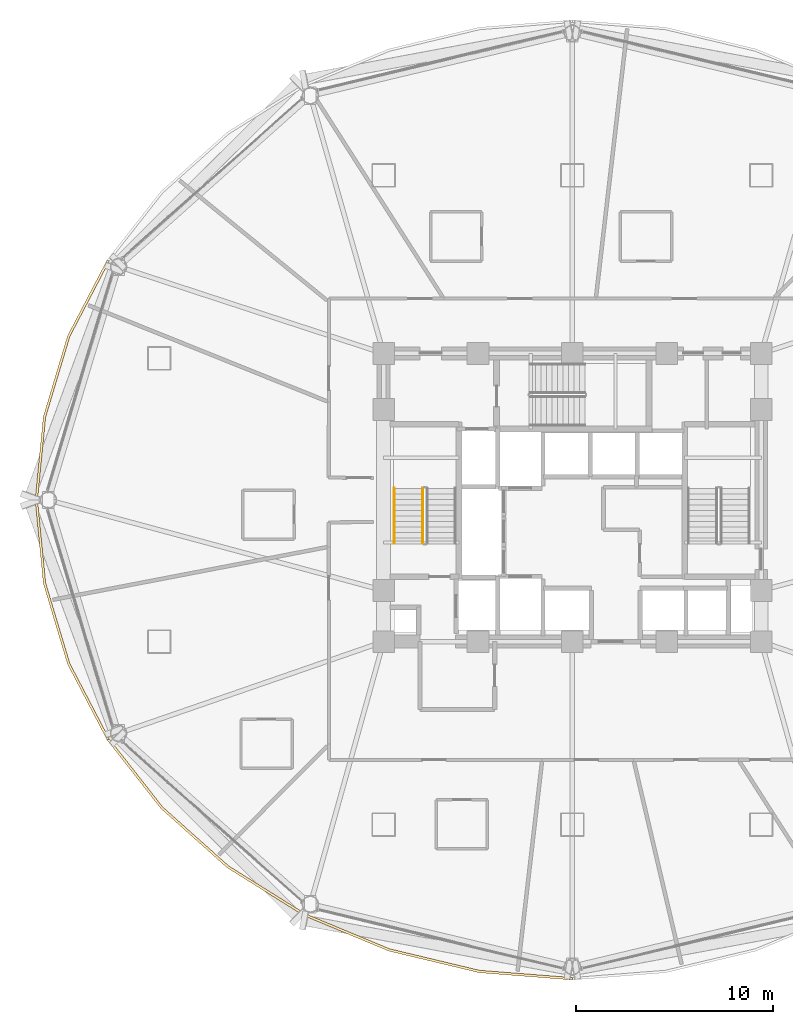
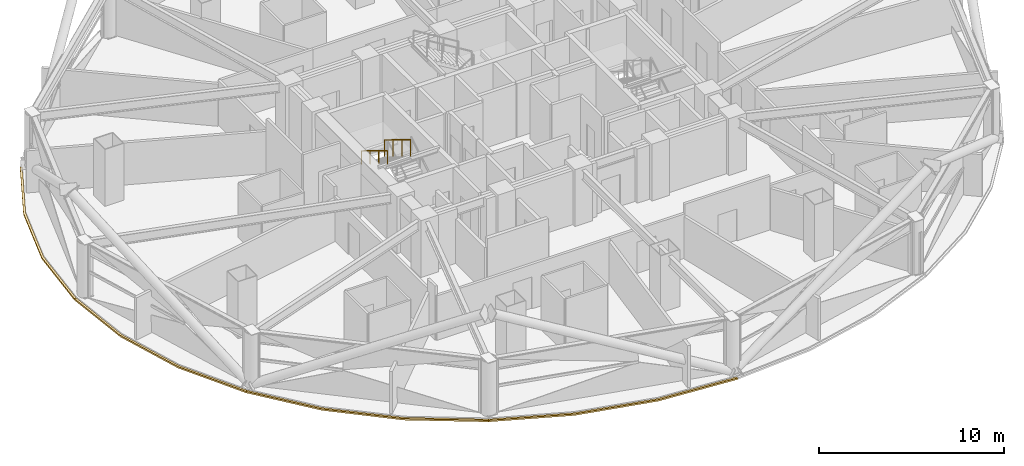
# One storey, part 27 of 30: 4 coverings, 2 railings.
"""IFC4 building model written with IfcOpenShell, lengths in metres."""

import ifcopenshell
import ifcopenshell.guid

model = None  # the IFC model being written
_history = None  # IfcOwnerHistory: only IFC2X3 demands one
_inside = {}  # id of a spatial element -> (the spatial element, [elements in it])
_under = {}  # id of a project, library or spatial element -> (it, [spatial elements below it])
_declared = {}  # id of a project -> (the project, [libraries it declares])
_typed = {}  # id of a type object -> (the type object, [elements of that type])
_made_of = {}  # id of a material, layer set ... -> (it, [elements and type objects made of it])


def new_model(schema):
    """Start an empty IFC model of exactly this schema.

    Asked for "IFC4X3", IfcOpenShell would pick the latest addendum, in which some entities
    have other attributes; the version numbers below select the first issue.
    IFC2X3 requires an IfcOwnerHistory on every rooted entity: one is made here for all.
    """
    global model, _history
    if schema == "IFC4X3":
        model = ifcopenshell.file(schema_version=(4, 3, 0, 0))
    else:
        model = ifcopenshell.file(schema=schema)
    _inside.clear()
    _under.clear()
    _declared.clear()
    _typed.clear()
    _made_of.clear()
    _history = None
    if model.schema == "IFC2X3":
        org = make("IfcOrganization", Name="unknown")
        user = make(
            "IfcPersonAndOrganization",
            ThePerson=make("IfcPerson", FamilyName="unknown"),
            TheOrganization=org,
        )
        app = make(
            "IfcApplication",
            ApplicationDeveloper=org,
            Version="unknown",
            ApplicationFullName="unknown",
            ApplicationIdentifier="unknown",
        )
        _history = make(
            "IfcOwnerHistory",
            OwningUser=user,
            OwningApplication=app,
            ChangeAction="ADDED",
            CreationDate=0,
        )
    return model


def make(cls, **values):
    """One entity of the class cls with the attributes given. An attribute that is None is left unset."""
    return model.create_entity(
        cls, **{name: value for name, value in values.items() if value is not None}
    )


def rooted(cls, **values):
    """An entity with a GlobalId (a new one), such as an element, a storey or a relation."""
    return make(cls, GlobalId=ifcopenshell.guid.new(), OwnerHistory=_history, **values)


def si_unit(unit_type, name, prefix=None):
    """IfcSIUnit, for example si_unit("LENGTHUNIT", "METRE", prefix="MILLI")."""
    return make("IfcSIUnit", UnitType=unit_type, Prefix=prefix, Name=name)


def assignment(units):
    """IfcUnitAssignment: the units of a project."""
    return None if units is None else make("IfcUnitAssignment", Units=units)


def point(xyz):
    """IfcCartesianPoint."""
    return None if xyz is None else make("IfcCartesianPoint", Coordinates=xyz)


def direction(xyz):
    """IfcDirection."""
    return None if xyz is None else make("IfcDirection", DirectionRatios=xyz)


def frame(location, z_axis=None, x_axis=None):
    """IfcAxis2Placement3D, a coordinate frame: its origin and axes. An axis left out is left unset."""
    return make(
        "IfcAxis2Placement3D",
        Location=point(location),
        Axis=direction(z_axis),
        RefDirection=direction(x_axis),
    )


def frame_2d(location, x_axis=None):
    """IfcAxis2Placement2D, a coordinate frame in the plane: its origin and x axis."""
    return make(
        "IfcAxis2Placement2D", Location=point(location), RefDirection=direction(x_axis)
    )


def origin():
    """The frame at (0, 0, 0) with its axes left unset."""
    return frame((0.0, 0.0, 0.0))


def origin_2d():
    """The frame at (0, 0) in the plane with its x axis left unset."""
    return frame_2d((0.0, 0.0))


def place(relative_to, where):
    """IfcLocalPlacement: puts the frame where relative to a parent placement (None: the world)."""
    return make(
        "IfcLocalPlacement", PlacementRelTo=relative_to, RelativePlacement=where
    )


def context(
    kind, dimensions, precision=None, world=None, true_north=None, identifier=None
):
    """IfcGeometricRepresentationContext, for example the 3D "Model" context."""
    return make(
        "IfcGeometricRepresentationContext",
        ContextIdentifier=identifier,
        ContextType=kind,
        CoordinateSpaceDimension=dimensions,
        Precision=precision,
        WorldCoordinateSystem=world,
        TrueNorth=true_north,
    )


def subcontext(parent, identifier, kind, view, scale=None):
    """IfcGeometricRepresentationSubContext, for example "Body" below "Model"."""
    return make(
        "IfcGeometricRepresentationSubContext",
        ContextIdentifier=identifier,
        ContextType=kind,
        ParentContext=parent,
        TargetScale=scale,
        TargetView=view,
    )


def project(units=None, contexts=None):
    """IfcProject with its units and contexts."""
    return rooted(
        "IfcProject",
        Name="project",
        RepresentationContexts=contexts,
        UnitsInContext=assignment(units),
    )


def spatial(cls, under=None, at=None, **own):
    """A site, building, storey or space (cls), placed at a placement, below another one or the project."""
    s = rooted(cls, ObjectPlacement=at, **own)
    if under is not None:
        _under.setdefault(under.id(), (under, []))[1].append(s)
    return s


def polyline(points):
    """IfcPolyline through the points."""
    return make("IfcPolyline", Points=[point(p) for p in points])


def profile(cls, at=None, kind="AREA", **sizes):
    """A parametric profile (cls). Its sizes go by their IFC names, for example OverallWidth=200.0."""
    return make(cls, ProfileType=kind, Position=at, **sizes)


def rectangle(**sizes):
    """IfcRectangleProfileDef."""
    return profile("IfcRectangleProfileDef", **sizes)


def outline(outer, holes=None, kind="AREA"):
    """IfcArbitraryClosedProfileDef: a profile drawn as a closed curve; with holes, ...WithVoids."""
    if holes is None:
        return make("IfcArbitraryClosedProfileDef", ProfileType=kind, OuterCurve=outer)
    return make(
        "IfcArbitraryProfileDefWithVoids",
        ProfileType=kind,
        OuterCurve=outer,
        InnerCurves=holes,
    )


def extrude(swept, where, along, depth):
    """IfcExtrudedAreaSolid: the profile swept, set in the frame where, extruded along a direction by depth."""
    return make(
        "IfcExtrudedAreaSolid",
        SweptArea=swept,
        Position=where,
        ExtrudedDirection=direction(along),
        Depth=depth,
    )


def shape(context_of_items, identifier, shape_type, items):
    """IfcShapeRepresentation: the items that make up one representation, for example the "Body"."""
    return make(
        "IfcShapeRepresentation",
        ContextOfItems=context_of_items,
        RepresentationIdentifier=identifier,
        RepresentationType=shape_type,
        Items=items,
    )


def material(Name=None, Category=None):
    """IfcMaterial."""
    return make("IfcMaterial", Name=Name, Category=Category)


def layer(
    of_material, thickness, ventilated=None, Name=None, Category=None, Priority=None
):
    """IfcMaterialLayer: one layer of a wall or slab, of a material (None: an air gap)."""
    return make(
        "IfcMaterialLayer",
        Material=of_material,
        LayerThickness=thickness,
        IsVentilated=ventilated,
        Name=Name,
        Category=Category,
        Priority=Priority,
    )


def layer_set(layers, Name=None):
    """IfcMaterialLayerSet."""
    return make("IfcMaterialLayerSet", MaterialLayers=layers, LayerSetName=Name)


def made_of(thing, what):
    """Note that an element or type object is made of a material, layer set ...; save() writes the relation."""
    if what is not None:
        _made_of.setdefault(what.id(), (what, []))[1].append(thing)
    return thing


def type_object(cls, material=None, **own):
    """A type object (cls), such as IfcWallType, which elements share."""
    return made_of(rooted(cls, **own), material)


def element(
    cls,
    number,
    at=None,
    inside=None,
    cuts=None,
    type_object=None,
    material=None,
    context=None,
    identifier="Body",
    shape_type=None,
    held_by="IfcProductDefinitionShape",
    body=None,
    shapes=None,
    **own,
):
    """One element of the class cls, such as IfcWall. Its Tag is "e" and its number.

    at: its placement. inside: the storey or other place that contains it. cuts: it is an
    opening in that element (IfcRelVoidsElement). A single representation is given by context,
    identifier, shape_type and body (its items); several are given by shapes. held_by: the class
    of the entity that holds the representations. save() writes the other relations.
    """
    e = rooted(cls, Tag="e%d" % number, ObjectPlacement=at, **own)
    if body is not None:
        shapes = [shape(context, identifier, shape_type, body)]
    if shapes is not None:
        e.Representation = make(held_by, Representations=shapes)
    if inside is not None:
        _inside.setdefault(inside.id(), (inside, []))[1].append(e)
    if cuts is not None:
        rooted(
            "IfcRelVoidsElement", RelatingBuildingElement=cuts, RelatedOpeningElement=e
        )
    if type_object is not None:
        _typed.setdefault(type_object.id(), (type_object, []))[1].append(e)
    return made_of(e, material)


def aggregate(whole, parts):
    """IfcRelAggregates: a whole, such as a stair, and the parts it consists of."""
    return rooted("IfcRelAggregates", RelatingObject=whole, RelatedObjects=parts)


def save(model, path):
    """Write the relations noted so far, then the file.

    IfcRelAggregates (storeys below a building ...), IfcRelContainedInSpatialStructure (elements
    in a storey), IfcRelDefinesByType, IfcRelAssociatesMaterial and IfcRelDeclares: one each for
    every whole, place, type object, material and project.
    """
    for whole, parts in _under.values():
        aggregate(whole, parts)
    for where, things in _inside.values():
        rooted(
            "IfcRelContainedInSpatialStructure",
            RelatedElements=things,
            RelatingStructure=where,
        )
    for kind, things in _typed.values():
        rooted("IfcRelDefinesByType", RelatedObjects=things, RelatingType=kind)
    for what, things in _made_of.values():
        rooted("IfcRelAssociatesMaterial", RelatedObjects=things, RelatingMaterial=what)
    for by, libraries in _declared.values():
        rooted("IfcRelDeclares", RelatingContext=by, RelatedDefinitions=libraries)
    model.write(path)


model = new_model("IFC4")

# Units and contexts
model_context = context("Model", 3, precision=1e-05, world=origin(), true_north=direction((0.0, 1.0)))
body_context = subcontext(model_context, "Body", "Model", "MODEL_VIEW")
ifc_project = project(units=[si_unit("LENGTHUNIT", "METRE"), si_unit("AREAUNIT", "SQUARE_METRE"), si_unit("VOLUMEUNIT", "CUBIC_METRE"), si_unit("PLANEANGLEUNIT", "RADIAN"), si_unit("MASSUNIT", "GRAM", prefix="KILO")], contexts=[model_context])

# Site, building, storey
site_placement = place(None, origin())
site = spatial("IfcSite", under=ifc_project, at=site_placement, CompositionType="ELEMENT")
building_placement = place(site_placement, origin())
building = spatial("IfcBuilding", under=site, at=building_placement, Name="Vantalir Tower", CompositionType="ELEMENT")
storey_placement = place(building_placement, frame((0.0, 0.0, 49.5)))
storey = spatial("IfcBuildingStorey", under=building, at=storey_placement, Name="L11", CompositionType="ELEMENT", Elevation=49.5)

# Coverings
ifc_material_1 = material(Name="Anodised champagne aluminium sill fascia", Category="aluminium")
ifc_layer = layer(ifc_material_1, 0.125)
ifc_layer_set = layer_set([ifc_layer], Name="Anodised champagne aluminium sill fascia")
covering_type = type_object("IfcCoveringType", Name="COV-SLAB-FASCIA-125", PredefinedType="CLADDING", material=ifc_layer_set)
covering_1_placement = place(storey_placement, frame((0.0, 0.0, -0.179931640625)))
element("IfcCovering", 1, at=covering_1_placement, inside=storey, type_object=covering_type, Name="L11 Perimeter Slab-Edge Sill Fascia 06", PredefinedType="CLADDING", context=body_context, shape_type="SweptSolid", body=[
    extrude(outline(polyline([(7.844970703125, 37.199951171875), (5.8330078125, 33.345947265625), (4.60107421875, 29.237060546875), (4.18603515625, 25.0), (4.31103515625, 25.0), (4.72412109375, 29.215087890625), (5.950927734375, 33.302978515625), (7.9541015625, 37.137939453125), (7.844970703125, 37.199951171875)])), origin(), (0.0, 0.0, 1.0), 0.10498046875),
])
covering_2_placement = place(storey_placement, frame((0.0, 0.0, -0.179931640625)))
element("IfcCovering", 2, at=covering_2_placement, inside=storey, type_object=covering_type, Name="L11 Perimeter Slab-Edge Sill Fascia 07", PredefinedType="CLADDING", context=body_context, shape_type="SweptSolid", body=[
    extrude(outline(polyline([(4.18603515625, 25.0), (4.60107421875, 20.762939453125), (5.8330078125, 16.654052734375), (7.844970703125, 12.799072265625), (7.9541015625, 12.862060546875), (5.950927734375, 16.697021484375), (4.72412109375, 20.784912109375), (4.31103515625, 25.0), (4.18603515625, 25.0)])), origin(), (0.0, 0.0, 1.0), 0.10498046875),
])
covering_3_placement = place(storey_placement, frame((0.0, 0.0, -0.179931640625)))
element("IfcCovering", 3, at=covering_3_placement, inside=storey, type_object=covering_type, Name="L11 Perimeter Slab-Edge Sill Fascia 08", PredefinedType="CLADDING", context=body_context, shape_type="SweptSolid", body=[
    extrude(outline(polyline([(7.844970703125, 12.799072265625), (10.575927734375, 9.31494140625), (13.943115234375, 6.30810546875), (17.843017578125, 3.867919921875), (17.905029296875, 3.97607421875), (14.02294921875, 6.404052734375), (10.672119140625, 9.39599609375), (7.9541015625, 12.862060546875), (7.844970703125, 12.799072265625)])), origin(), (0.0, 0.0, 1.0), 0.10498046875),
])
covering_4_placement = place(storey_placement, frame((0.0, 0.0, -0.179931640625)))
element("IfcCovering", 4, at=covering_4_placement, inside=storey, type_object=covering_type, Name="L11 Perimeter Slab-Edge Sill Fascia 09", PredefinedType="CLADDING", context=body_context, shape_type="SweptSolid", body=[
    extrude(outline(polyline([(17.843017578125, 3.867919921875), (22.157958984375, 2.071044921875), (26.757080078125, 0.969970703125), (31.5, 0.59912109375), (31.5, 0.72412109375), (26.779052734375, 1.093017578125), (22.200927734375, 2.18798828125), (17.905029296875, 3.97607421875), (17.843017578125, 3.867919921875)])), origin(), (0.0, 0.0, 1.0), 0.10498046875),
])

# Railings
ifc_material_2 = material(Name="Anodised aluminium and stainless steel guard", Category="steel")
railing_type_1 = type_object("IfcRailingType", Name="RAL-GUARD-1120", PredefinedType="GUARDRAIL", material=ifc_material_2)
railing_1_placement = place(storey_placement, frame((23.889892578125, 25.590087890625, 2.04541015625)))
element("IfcRailing", 5, at=railing_1_placement, inside=storey, type_object=railing_type_1, Name="L11 ST1 stair guard 3", PredefinedType="GUARDRAIL", context=body_context, shape_type="SweptSolid", body=[
    extrude(rectangle(XDim=0.048095703125, YDim=0.048095703125, at=origin_2d()), frame((0.0, 0.0, 1.09619140625), z_axis=(0.0, -0.854169791009, 0.51999420009), x_axis=(1.0, 0.0, 0.0)), (0.0, 0.0, 1.0), 3.278076171875),
    extrude(rectangle(XDim=0.0419921875, YDim=0.0419921875, at=origin_2d()), origin(), (0.0, 0.0, 1.0), 1.072021484375),
    extrude(rectangle(XDim=0.0419921875, YDim=0.0419921875, at=origin_2d()), frame((0.0, -0.933349609375, 0.568115234375)), (0.0, 0.0, 1.0), 1.072021484375),
    extrude(rectangle(XDim=0.0419921875, YDim=0.0419921875, at=origin_2d()), frame((0.0, -1.86669921875, 1.136474609375)), (0.0, 0.0, 1.0), 1.072021484375),
    extrude(rectangle(XDim=0.0419921875, YDim=0.0419921875, at=origin_2d()), frame((0.0, -2.800048828125, 1.70458984375)), (0.0, 0.0, 1.0), 1.072021484375),
])
ifc_material_3 = material(Name="Brushed stainless steel tubular handrail", Category="steel")
railing_type_2 = type_object("IfcRailingType", Name="RAL-HANDRAIL-900", PredefinedType="HANDRAIL", material=ifc_material_3)
railing_2_placement = place(storey_placement, frame((22.449951171875, 25.590087890625, 2.04541015625)))
element("IfcRailing", 6, at=railing_2_placement, inside=storey, type_object=railing_type_2, Name="L11 ST1 stair handrail 2", PredefinedType="HANDRAIL", context=body_context, shape_type="SweptSolid", body=[
    extrude(rectangle(XDim=0.048095703125, YDim=0.048095703125, at=origin_2d()), frame((0.0, 0.0, 0.8759765625), z_axis=(0.0, -0.854169791009, 0.51999420009), x_axis=(1.0, 0.0, 0.0)), (0.0, 0.0, 1.0), 3.278076171875),
    extrude(rectangle(XDim=0.0419921875, YDim=0.0419921875, at=origin_2d()), origin(), (0.0, 0.0, 1.0), 0.851806640625),
    extrude(rectangle(XDim=0.0419921875, YDim=0.0419921875, at=origin_2d()), frame((0.0, -0.933349609375, 0.568115234375)), (0.0, 0.0, 1.0), 0.851806640625),
    extrude(rectangle(XDim=0.0419921875, YDim=0.0419921875, at=origin_2d()), frame((0.0, -1.86669921875, 1.136474609375)), (0.0, 0.0, 1.0), 0.851806640625),
    extrude(rectangle(XDim=0.0419921875, YDim=0.0419921875, at=origin_2d()), frame((0.0, -2.800048828125, 1.70458984375)), (0.0, 0.0, 1.0), 0.851806640625),
])

save(model, "model.ifc")
